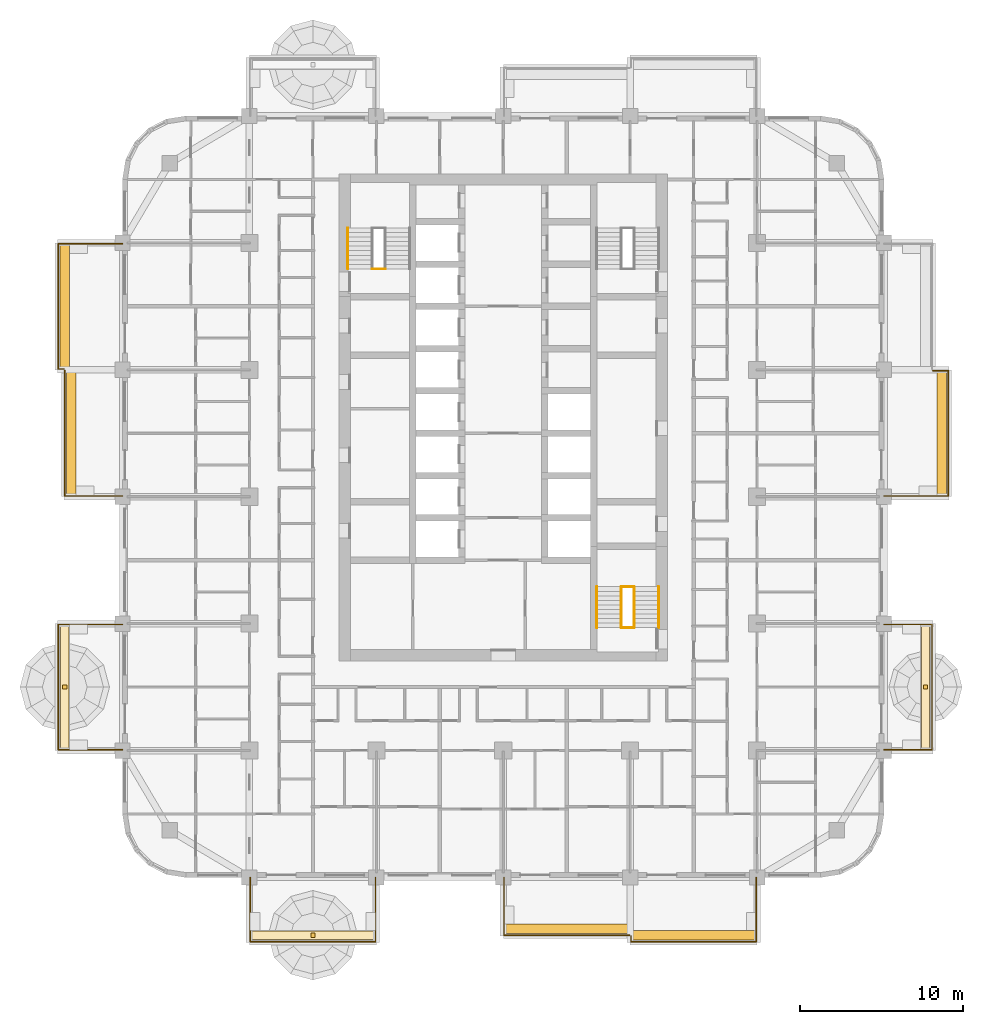
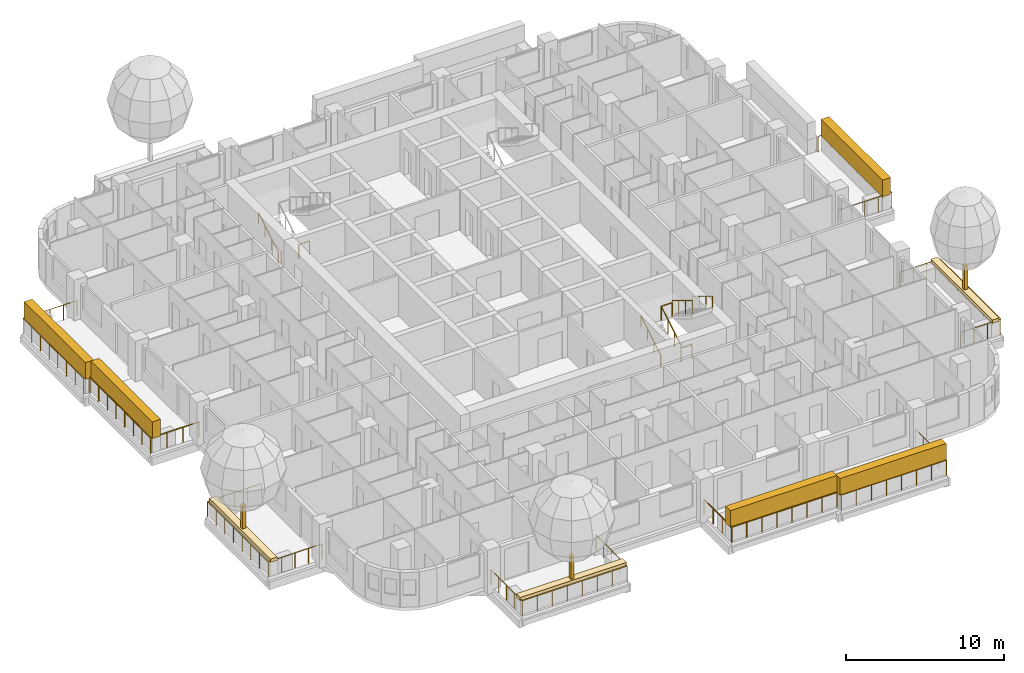
# One storey, part 17 of 19: 16 railings, 11 coverings, 2 elements without a shape of their own.
"""IFC4 building model written with IfcOpenShell, lengths in metres."""

from ifc_helpers import new_model, si_unit, direction, frame, origin, origin_2d, place, context, subcontext, project, spatial, rectangle, circle, extrude, material, layer, layer_set, type_object, element, aggregate, save


model = new_model("IFC4")

# Units and contexts
model_context = context("Model", 3, precision=1e-05, world=origin(), true_north=direction((0.0, 1.0)))
body_context = subcontext(model_context, "Body", "Model", "MODEL_VIEW")
ifc_project = project(units=[si_unit("LENGTHUNIT", "METRE"), si_unit("AREAUNIT", "SQUARE_METRE"), si_unit("VOLUMEUNIT", "CUBIC_METRE"), si_unit("PLANEANGLEUNIT", "RADIAN"), si_unit("MASSUNIT", "GRAM", prefix="KILO")], contexts=[model_context])

# Site, building, storey
site_placement = place(None, origin())
site = spatial("IfcSite", under=ifc_project, at=site_placement, CompositionType="ELEMENT")
building_placement = place(site_placement, origin())
building = spatial("IfcBuilding", under=site, at=building_placement, Name="Ludao Terraces", CompositionType="ELEMENT")
storey_placement = place(building_placement, frame((0.0, 0.0, 81.800048828125)))
storey = spatial("IfcBuildingStorey", under=building, at=storey_placement, Name="L22", CompositionType="ELEMENT", Elevation=81.800048828125)

# Railings
ifc_material_1 = material(Name="Stainless steel 304", Category="steel")
railing_type_1 = type_object("IfcRailingType", Name="ENV Balcony glass guard 1200", PredefinedType="GUARDRAIL", material=ifc_material_1)
railing_1_placement = place(storey_placement, frame((69.449951171875, 41.60009765625, 0.0)))
element("IfcRailing", 1, at=railing_1_placement, inside=storey, type_object=railing_type_1, Name="Balcony guard L22 S1", PredefinedType="GUARDRAIL", context=body_context, shape_type="SweptSolid", body=[
    extrude(circle(Radius=0.02392578125, at=origin_2d()), frame((0.0, 0.0, 1.17578125), z_axis=(0.0, -1.0, 0.0), x_axis=(1.0, 0.0, 0.0)), (0.0, 0.0, 1.0), 3.9501953125),
    extrude(circle(Radius=0.02392578125, at=origin_2d()), frame((0.0, -3.9501953125, 1.17578125), z_axis=(1.0, 0.0, 0.0), x_axis=(0.0, 1.0, 0.0)), (0.0, 0.0, 1.0), 7.699951171875),
    extrude(circle(Radius=0.02392578125, at=origin_2d()), frame((7.699951171875, -3.9501953125, 1.17578125), z_axis=(0.0, 1.0, 0.0), x_axis=(-1.0, 0.0, 0.0)), (0.0, 0.0, 1.0), 3.9501953125),
    extrude(circle(Radius=0.02099609375, at=origin_2d()), origin(), (0.0, 0.0, 1.0), 1.15185546875),
    extrude(circle(Radius=0.02099609375, at=origin_2d()), frame((0.0, -0.987548828125, 0.0)), (0.0, 0.0, 1.0), 1.15185546875),
    extrude(circle(Radius=0.02099609375, at=origin_2d()), frame((0.0, -1.97509765625, 0.0)), (0.0, 0.0, 1.0), 1.15185546875),
    extrude(circle(Radius=0.02099609375, at=origin_2d()), frame((0.0, -2.962646484375, 0.0)), (0.0, 0.0, 1.0), 1.15185546875),
    extrude(circle(Radius=0.02099609375, at=origin_2d()), frame((0.0, -3.9501953125, 0.0)), (0.0, 0.0, 1.0), 1.15185546875),
    extrude(circle(Radius=0.02099609375, at=origin_2d()), frame((1.10009765625, -3.9501953125, 0.0)), (0.0, 0.0, 1.0), 1.15185546875),
    extrude(circle(Radius=0.02099609375, at=origin_2d()), frame((2.199951171875, -3.9501953125, 0.0)), (0.0, 0.0, 1.0), 1.15185546875),
    extrude(circle(Radius=0.02099609375, at=origin_2d()), frame((3.300048828125, -3.9501953125, 0.0)), (0.0, 0.0, 1.0), 1.15185546875),
    extrude(circle(Radius=0.02099609375, at=origin_2d()), frame((4.39990234375, -3.9501953125, 0.0)), (0.0, 0.0, 1.0), 1.15185546875),
    extrude(circle(Radius=0.02099609375, at=origin_2d()), frame((5.5, -3.9501953125, 0.0)), (0.0, 0.0, 1.0), 1.15185546875),
    extrude(circle(Radius=0.02099609375, at=origin_2d()), frame((6.599853515625, -3.9501953125, 0.0)), (0.0, 0.0, 1.0), 1.15185546875),
    extrude(circle(Radius=0.02099609375, at=origin_2d()), frame((7.699951171875, -3.9501953125, 0.0)), (0.0, 0.0, 1.0), 1.15185546875),
    extrude(circle(Radius=0.02099609375, at=origin_2d()), frame((7.699951171875, -2.962646484375, 0.0)), (0.0, 0.0, 1.0), 1.15185546875),
    extrude(circle(Radius=0.02099609375, at=origin_2d()), frame((7.699951171875, -1.97509765625, 0.0)), (0.0, 0.0, 1.0), 1.15185546875),
    extrude(circle(Radius=0.02099609375, at=origin_2d()), frame((7.699951171875, -0.987548828125, 0.0)), (0.0, 0.0, 1.0), 1.15185546875),
    extrude(circle(Radius=0.02099609375, at=origin_2d()), frame((7.699951171875, 0.0, 0.0)), (0.0, 0.0, 1.0), 1.15185546875),
])
railing_2_placement = place(storey_placement, frame((85.050048828125, 41.60009765625, 0.0)))
element("IfcRailing", 2, at=railing_2_placement, inside=storey, type_object=railing_type_1, Name="Balcony guard L22 S3", PredefinedType="GUARDRAIL", context=body_context, shape_type="SweptSolid", body=[
    extrude(circle(Radius=0.02392578125, at=origin_2d()), frame((0.0, 0.0, 1.17578125), z_axis=(0.0, -1.0, 0.0), x_axis=(1.0, 0.0, 0.0)), (0.0, 0.0, 1.0), 3.550048828125),
    extrude(circle(Radius=0.02392578125, at=origin_2d()), frame((0.0, -3.550048828125, 1.17578125), z_axis=(1.0, 0.0, 0.0), x_axis=(0.0, 1.0, 0.0)), (0.0, 0.0, 1.0), 7.699951171875),
    extrude(circle(Radius=0.02099609375, at=origin_2d()), origin(), (0.0, 0.0, 1.0), 1.15185546875),
    extrude(circle(Radius=0.02099609375, at=origin_2d()), frame((0.0, -1.183349609375, 0.0)), (0.0, 0.0, 1.0), 1.15185546875),
    extrude(circle(Radius=0.02099609375, at=origin_2d()), frame((0.0, -2.36669921875, 0.0)), (0.0, 0.0, 1.0), 1.15185546875),
    extrude(circle(Radius=0.02099609375, at=origin_2d()), frame((0.0, -3.550048828125, 0.0)), (0.0, 0.0, 1.0), 1.15185546875),
    extrude(circle(Radius=0.02099609375, at=origin_2d()), frame((1.10009765625, -3.550048828125, 0.0)), (0.0, 0.0, 1.0), 1.15185546875),
    extrude(circle(Radius=0.02099609375, at=origin_2d()), frame((2.199951171875, -3.550048828125, 0.0)), (0.0, 0.0, 1.0), 1.15185546875),
    extrude(circle(Radius=0.02099609375, at=origin_2d()), frame((3.300048828125, -3.550048828125, 0.0)), (0.0, 0.0, 1.0), 1.15185546875),
    extrude(circle(Radius=0.02099609375, at=origin_2d()), frame((4.39990234375, -3.550048828125, 0.0)), (0.0, 0.0, 1.0), 1.15185546875),
    extrude(circle(Radius=0.02099609375, at=origin_2d()), frame((5.5, -3.550048828125, 0.0)), (0.0, 0.0, 1.0), 1.15185546875),
    extrude(circle(Radius=0.02099609375, at=origin_2d()), frame((6.599853515625, -3.550048828125, 0.0)), (0.0, 0.0, 1.0), 1.15185546875),
    extrude(circle(Radius=0.02099609375, at=origin_2d()), frame((7.699951171875, -3.550048828125, 0.0)), (0.0, 0.0, 1.0), 1.15185546875),
])
railing_3_placement = place(storey_placement, frame((92.85009765625, 38.0, 0.0)))
element("IfcRailing", 3, at=railing_3_placement, inside=storey, type_object=railing_type_1, Name="Balcony guard L22 S4", PredefinedType="GUARDRAIL", context=body_context, shape_type="SweptSolid", body=[
    extrude(circle(Radius=0.02392578125, at=origin_2d()), frame((0.0, 0.0, 1.17578125), z_axis=(0.0, -1.0, 0.0), x_axis=(1.0, 0.0, 0.0)), (0.0, 0.0, 1.0), 0.35009765625),
    extrude(circle(Radius=0.02392578125, at=origin_2d()), frame((0.0, -0.35009765625, 1.17578125), z_axis=(1.0, 0.0, 0.0), x_axis=(0.0, 1.0, 0.0)), (0.0, 0.0, 1.0), 7.699951171875),
    extrude(circle(Radius=0.02392578125, at=origin_2d()), frame((7.699951171875, -0.35009765625, 1.17578125), z_axis=(0.0, 1.0, 0.0), x_axis=(-1.0, 0.0, 0.0)), (0.0, 0.0, 1.0), 3.9501953125),
    extrude(circle(Radius=0.02099609375, at=origin_2d()), origin(), (0.0, 0.0, 1.0), 1.15185546875),
    extrude(circle(Radius=0.02099609375, at=origin_2d()), frame((0.0, -0.35009765625, 0.0)), (0.0, 0.0, 1.0), 1.15185546875),
    extrude(circle(Radius=0.02099609375, at=origin_2d()), frame((1.10009765625, -0.35009765625, 0.0)), (0.0, 0.0, 1.0), 1.15185546875),
    extrude(circle(Radius=0.02099609375, at=origin_2d()), frame((2.199951171875, -0.35009765625, 0.0)), (0.0, 0.0, 1.0), 1.15185546875),
    extrude(circle(Radius=0.02099609375, at=origin_2d()), frame((3.300048828125, -0.35009765625, 0.0)), (0.0, 0.0, 1.0), 1.15185546875),
    extrude(circle(Radius=0.02099609375, at=origin_2d()), frame((4.39990234375, -0.35009765625, 0.0)), (0.0, 0.0, 1.0), 1.15185546875),
    extrude(circle(Radius=0.02099609375, at=origin_2d()), frame((5.5, -0.35009765625, 0.0)), (0.0, 0.0, 1.0), 1.15185546875),
    extrude(circle(Radius=0.02099609375, at=origin_2d()), frame((6.599853515625, -0.35009765625, 0.0)), (0.0, 0.0, 1.0), 1.15185546875),
    extrude(circle(Radius=0.02099609375, at=origin_2d()), frame((7.699951171875, -0.35009765625, 0.0)), (0.0, 0.0, 1.0), 1.15185546875),
    extrude(circle(Radius=0.02099609375, at=origin_2d()), frame((7.699951171875, 0.637451171875, 0.0)), (0.0, 0.0, 1.0), 1.15185546875),
    extrude(circle(Radius=0.02099609375, at=origin_2d()), frame((7.699951171875, 1.625, 0.0)), (0.0, 0.0, 1.0), 1.15185546875),
    extrude(circle(Radius=0.02099609375, at=origin_2d()), frame((7.699951171875, 2.612548828125, 0.0)), (0.0, 0.0, 1.0), 1.15185546875),
    extrude(circle(Radius=0.02099609375, at=origin_2d()), frame((7.699951171875, 3.60009765625, 0.0)), (0.0, 0.0, 1.0), 1.15185546875),
])
railing_4_placement = place(storey_placement, frame((108.39990234375, 49.449951171875, 0.0)))
element("IfcRailing", 4, at=railing_4_placement, inside=storey, type_object=railing_type_1, Name="Balcony guard L22 E1", PredefinedType="GUARDRAIL", context=body_context, shape_type="SweptSolid", body=[
    extrude(circle(Radius=0.02392578125, at=origin_2d()), frame((0.0, 0.0, 1.17578125), z_axis=(1.0, 0.0, 0.0), x_axis=(0.0, 1.0, 0.0)), (0.0, 0.0, 1.0), 2.9501953125),
    extrude(circle(Radius=0.02392578125, at=origin_2d()), frame((2.9501953125, 0.0, 1.17578125), z_axis=(0.0, 1.0, 0.0), x_axis=(-1.0, 0.0, 0.0)), (0.0, 0.0, 1.0), 7.699951171875),
    extrude(circle(Radius=0.02392578125, at=origin_2d()), frame((2.9501953125, 7.699951171875, 1.17578125), z_axis=(-1.0, 0.0, 0.0), x_axis=(0.0, -1.0, 0.0)), (0.0, 0.0, 1.0), 2.9501953125),
    extrude(circle(Radius=0.02099609375, at=origin_2d()), origin(), (0.0, 0.0, 1.0), 1.15185546875),
    extrude(circle(Radius=0.02099609375, at=origin_2d()), frame((0.9833984375, 0.0, 0.0)), (0.0, 0.0, 1.0), 1.15185546875),
    extrude(circle(Radius=0.02099609375, at=origin_2d()), frame((1.966796875, 0.0, 0.0)), (0.0, 0.0, 1.0), 1.15185546875),
    extrude(circle(Radius=0.02099609375, at=origin_2d()), frame((2.9501953125, 0.0, 0.0)), (0.0, 0.0, 1.0), 1.15185546875),
    extrude(circle(Radius=0.02099609375, at=origin_2d()), frame((2.9501953125, 1.10009765625, 0.0)), (0.0, 0.0, 1.0), 1.15185546875),
    extrude(circle(Radius=0.02099609375, at=origin_2d()), frame((2.9501953125, 2.199951171875, 0.0)), (0.0, 0.0, 1.0), 1.15185546875),
    extrude(circle(Radius=0.02099609375, at=origin_2d()), frame((2.9501953125, 3.300048828125, 0.0)), (0.0, 0.0, 1.0), 1.15185546875),
    extrude(circle(Radius=0.02099609375, at=origin_2d()), frame((2.9501953125, 4.39990234375, 0.0)), (0.0, 0.0, 1.0), 1.15185546875),
    extrude(circle(Radius=0.02099609375, at=origin_2d()), frame((2.9501953125, 5.5, 0.0)), (0.0, 0.0, 1.0), 1.15185546875),
    extrude(circle(Radius=0.02099609375, at=origin_2d()), frame((2.9501953125, 6.599853515625, 0.0)), (0.0, 0.0, 1.0), 1.15185546875),
    extrude(circle(Radius=0.02099609375, at=origin_2d()), frame((2.9501953125, 7.699951171875, 0.0)), (0.0, 0.0, 1.0), 1.15185546875),
    extrude(circle(Radius=0.02099609375, at=origin_2d()), frame((1.966796875, 7.699951171875, 0.0)), (0.0, 0.0, 1.0), 1.15185546875),
    extrude(circle(Radius=0.02099609375, at=origin_2d()), frame((0.9833984375, 7.699951171875, 0.0)), (0.0, 0.0, 1.0), 1.15185546875),
    extrude(circle(Radius=0.02099609375, at=origin_2d()), frame((0.0, 7.699951171875, 0.0)), (0.0, 0.0, 1.0), 1.15185546875),
])
railing_5_placement = place(storey_placement, frame((108.39990234375, 65.050048828125, 0.0)))
element("IfcRailing", 5, at=railing_5_placement, inside=storey, type_object=railing_type_1, Name="Balcony guard L22 E3", PredefinedType="GUARDRAIL", context=body_context, shape_type="SweptSolid", body=[
    extrude(circle(Radius=0.02392578125, at=origin_2d()), frame((0.0, 0.0, 1.17578125), z_axis=(1.0, 0.0, 0.0), x_axis=(0.0, 1.0, 0.0)), (0.0, 0.0, 1.0), 3.9501953125),
    extrude(circle(Radius=0.02392578125, at=origin_2d()), frame((3.9501953125, 0.0, 1.17578125), z_axis=(0.0, 1.0, 0.0), x_axis=(-1.0, 0.0, 0.0)), (0.0, 0.0, 1.0), 7.699951171875),
    extrude(circle(Radius=0.02392578125, at=origin_2d()), frame((3.9501953125, 7.699951171875, 1.17578125), z_axis=(-1.0, 0.0, 0.0), x_axis=(0.0, -1.0, 0.0)), (0.0, 0.0, 1.0), 0.9501953125),
    extrude(circle(Radius=0.02099609375, at=origin_2d()), origin(), (0.0, 0.0, 1.0), 1.15185546875),
    extrude(circle(Radius=0.02099609375, at=origin_2d()), frame((0.987548828125, 0.0, 0.0)), (0.0, 0.0, 1.0), 1.15185546875),
    extrude(circle(Radius=0.02099609375, at=origin_2d()), frame((1.97509765625, 0.0, 0.0)), (0.0, 0.0, 1.0), 1.15185546875),
    extrude(circle(Radius=0.02099609375, at=origin_2d()), frame((2.962646484375, 0.0, 0.0)), (0.0, 0.0, 1.0), 1.15185546875),
    extrude(circle(Radius=0.02099609375, at=origin_2d()), frame((3.9501953125, 0.0, 0.0)), (0.0, 0.0, 1.0), 1.15185546875),
    extrude(circle(Radius=0.02099609375, at=origin_2d()), frame((3.9501953125, 1.10009765625, 0.0)), (0.0, 0.0, 1.0), 1.15185546875),
    extrude(circle(Radius=0.02099609375, at=origin_2d()), frame((3.9501953125, 2.199951171875, 0.0)), (0.0, 0.0, 1.0), 1.15185546875),
    extrude(circle(Radius=0.02099609375, at=origin_2d()), frame((3.9501953125, 3.300048828125, 0.0)), (0.0, 0.0, 1.0), 1.15185546875),
    extrude(circle(Radius=0.02099609375, at=origin_2d()), frame((3.9501953125, 4.39990234375, 0.0)), (0.0, 0.0, 1.0), 1.15185546875),
    extrude(circle(Radius=0.02099609375, at=origin_2d()), frame((3.9501953125, 5.5, 0.0)), (0.0, 0.0, 1.0), 1.15185546875),
    extrude(circle(Radius=0.02099609375, at=origin_2d()), frame((3.9501953125, 6.599853515625, 0.0)), (0.0, 0.0, 1.0), 1.15185546875),
    extrude(circle(Radius=0.02099609375, at=origin_2d()), frame((3.9501953125, 7.699951171875, 0.0)), (0.0, 0.0, 1.0), 1.15185546875),
    extrude(circle(Radius=0.02099609375, at=origin_2d()), frame((3.0, 7.699951171875, 0.0)), (0.0, 0.0, 1.0), 1.15185546875),
])
railing_6_placement = place(storey_placement, frame((61.60009765625, 49.449951171875, 0.0)))
element("IfcRailing", 6, at=railing_6_placement, inside=storey, type_object=railing_type_1, Name="Balcony guard L22 W1", PredefinedType="GUARDRAIL", context=body_context, shape_type="SweptSolid", body=[
    extrude(circle(Radius=0.02392578125, at=origin_2d()), frame((0.0, 0.0, 1.17578125), z_axis=(-1.0, 0.0, 0.0), x_axis=(0.0, -1.0, 0.0)), (0.0, 0.0, 1.0), 3.9501953125),
    extrude(circle(Radius=0.02392578125, at=origin_2d()), frame((-3.9501953125, 0.0, 1.17578125), z_axis=(0.0, 1.0, 0.0), x_axis=(-1.0, 0.0, 0.0)), (0.0, 0.0, 1.0), 7.699951171875),
    extrude(circle(Radius=0.02392578125, at=origin_2d()), frame((-3.9501953125, 7.699951171875, 1.17578125), z_axis=(1.0, 0.0, 0.0), x_axis=(0.0, 1.0, 0.0)), (0.0, 0.0, 1.0), 3.9501953125),
    extrude(circle(Radius=0.02099609375, at=origin_2d()), origin(), (0.0, 0.0, 1.0), 1.15185546875),
    extrude(circle(Radius=0.02099609375, at=origin_2d()), frame((-0.987548828125, 0.0, 0.0)), (0.0, 0.0, 1.0), 1.15185546875),
    extrude(circle(Radius=0.02099609375, at=origin_2d()), frame((-1.97509765625, 0.0, 0.0)), (0.0, 0.0, 1.0), 1.15185546875),
    extrude(circle(Radius=0.02099609375, at=origin_2d()), frame((-2.962646484375, 0.0, 0.0)), (0.0, 0.0, 1.0), 1.15185546875),
    extrude(circle(Radius=0.02099609375, at=origin_2d()), frame((-3.9501953125, 0.0, 0.0)), (0.0, 0.0, 1.0), 1.15185546875),
    extrude(circle(Radius=0.02099609375, at=origin_2d()), frame((-3.9501953125, 1.10009765625, 0.0)), (0.0, 0.0, 1.0), 1.15185546875),
    extrude(circle(Radius=0.02099609375, at=origin_2d()), frame((-3.9501953125, 2.199951171875, 0.0)), (0.0, 0.0, 1.0), 1.15185546875),
    extrude(circle(Radius=0.02099609375, at=origin_2d()), frame((-3.9501953125, 3.300048828125, 0.0)), (0.0, 0.0, 1.0), 1.15185546875),
    extrude(circle(Radius=0.02099609375, at=origin_2d()), frame((-3.9501953125, 4.39990234375, 0.0)), (0.0, 0.0, 1.0), 1.15185546875),
    extrude(circle(Radius=0.02099609375, at=origin_2d()), frame((-3.9501953125, 5.5, 0.0)), (0.0, 0.0, 1.0), 1.15185546875),
    extrude(circle(Radius=0.02099609375, at=origin_2d()), frame((-3.9501953125, 6.599853515625, 0.0)), (0.0, 0.0, 1.0), 1.15185546875),
    extrude(circle(Radius=0.02099609375, at=origin_2d()), frame((-3.9501953125, 7.699951171875, 0.0)), (0.0, 0.0, 1.0), 1.15185546875),
    extrude(circle(Radius=0.02099609375, at=origin_2d()), frame((-2.962646484375, 7.699951171875, 0.0)), (0.0, 0.0, 1.0), 1.15185546875),
    extrude(circle(Radius=0.02099609375, at=origin_2d()), frame((-1.97509765625, 7.699951171875, 0.0)), (0.0, 0.0, 1.0), 1.15185546875),
    extrude(circle(Radius=0.02099609375, at=origin_2d()), frame((-0.987548828125, 7.699951171875, 0.0)), (0.0, 0.0, 1.0), 1.15185546875),
    extrude(circle(Radius=0.02099609375, at=origin_2d()), frame((0.0, 7.699951171875, 0.0)), (0.0, 0.0, 1.0), 1.15185546875),
])
railing_7_placement = place(storey_placement, frame((61.60009765625, 65.050048828125, 0.0)))
element("IfcRailing", 7, at=railing_7_placement, inside=storey, type_object=railing_type_1, Name="Balcony guard L22 W3", PredefinedType="GUARDRAIL", context=body_context, shape_type="SweptSolid", body=[
    extrude(circle(Radius=0.02392578125, at=origin_2d()), frame((0.0, 0.0, 1.17578125), z_axis=(-1.0, 0.0, 0.0), x_axis=(0.0, -1.0, 0.0)), (0.0, 0.0, 1.0), 3.550048828125),
    extrude(circle(Radius=0.02392578125, at=origin_2d()), frame((-3.550048828125, 0.0, 1.17578125), z_axis=(0.0, 1.0, 0.0), x_axis=(-1.0, 0.0, 0.0)), (0.0, 0.0, 1.0), 7.699951171875),
    extrude(circle(Radius=0.02099609375, at=origin_2d()), origin(), (0.0, 0.0, 1.0), 1.15185546875),
    extrude(circle(Radius=0.02099609375, at=origin_2d()), frame((-1.183349609375, 0.0, 0.0)), (0.0, 0.0, 1.0), 1.15185546875),
    extrude(circle(Radius=0.02099609375, at=origin_2d()), frame((-2.36669921875, 0.0, 0.0)), (0.0, 0.0, 1.0), 1.15185546875),
    extrude(circle(Radius=0.02099609375, at=origin_2d()), frame((-3.550048828125, 0.0, 0.0)), (0.0, 0.0, 1.0), 1.15185546875),
    extrude(circle(Radius=0.02099609375, at=origin_2d()), frame((-3.550048828125, 1.10009765625, 0.0)), (0.0, 0.0, 1.0), 1.15185546875),
    extrude(circle(Radius=0.02099609375, at=origin_2d()), frame((-3.550048828125, 2.199951171875, 0.0)), (0.0, 0.0, 1.0), 1.15185546875),
    extrude(circle(Radius=0.02099609375, at=origin_2d()), frame((-3.550048828125, 3.300048828125, 0.0)), (0.0, 0.0, 1.0), 1.15185546875),
    extrude(circle(Radius=0.02099609375, at=origin_2d()), frame((-3.550048828125, 4.39990234375, 0.0)), (0.0, 0.0, 1.0), 1.15185546875),
    extrude(circle(Radius=0.02099609375, at=origin_2d()), frame((-3.550048828125, 5.5, 0.0)), (0.0, 0.0, 1.0), 1.15185546875),
    extrude(circle(Radius=0.02099609375, at=origin_2d()), frame((-3.550048828125, 6.599853515625, 0.0)), (0.0, 0.0, 1.0), 1.15185546875),
    extrude(circle(Radius=0.02099609375, at=origin_2d()), frame((-3.550048828125, 7.699951171875, 0.0)), (0.0, 0.0, 1.0), 1.15185546875),
])
railing_8_placement = place(storey_placement, frame((58.0, 72.85009765625, 0.0)))
element("IfcRailing", 8, at=railing_8_placement, inside=storey, type_object=railing_type_1, Name="Balcony guard L22 W4", PredefinedType="GUARDRAIL", context=body_context, shape_type="SweptSolid", body=[
    extrude(circle(Radius=0.02392578125, at=origin_2d()), frame((0.0, 0.0, 1.17578125), z_axis=(-1.0, 0.0, 0.0), x_axis=(0.0, -1.0, 0.0)), (0.0, 0.0, 1.0), 0.35009765625),
    extrude(circle(Radius=0.02392578125, at=origin_2d()), frame((-0.35009765625, 0.0, 1.17578125), z_axis=(0.0, 1.0, 0.0), x_axis=(-1.0, 0.0, 0.0)), (0.0, 0.0, 1.0), 7.699951171875),
    extrude(circle(Radius=0.02392578125, at=origin_2d()), frame((-0.35009765625, 7.699951171875, 1.17578125), z_axis=(1.0, 0.0, 0.0), x_axis=(0.0, 1.0, 0.0)), (0.0, 0.0, 1.0), 3.9501953125),
    extrude(circle(Radius=0.02099609375, at=origin_2d()), origin(), (0.0, 0.0, 1.0), 1.15185546875),
    extrude(circle(Radius=0.02099609375, at=origin_2d()), frame((-0.35009765625, 0.0, 0.0)), (0.0, 0.0, 1.0), 1.15185546875),
    extrude(circle(Radius=0.02099609375, at=origin_2d()), frame((-0.35009765625, 1.10009765625, 0.0)), (0.0, 0.0, 1.0), 1.15185546875),
    extrude(circle(Radius=0.02099609375, at=origin_2d()), frame((-0.35009765625, 2.199951171875, 0.0)), (0.0, 0.0, 1.0), 1.15185546875),
    extrude(circle(Radius=0.02099609375, at=origin_2d()), frame((-0.35009765625, 3.300048828125, 0.0)), (0.0, 0.0, 1.0), 1.15185546875),
    extrude(circle(Radius=0.02099609375, at=origin_2d()), frame((-0.35009765625, 4.39990234375, 0.0)), (0.0, 0.0, 1.0), 1.15185546875),
    extrude(circle(Radius=0.02099609375, at=origin_2d()), frame((-0.35009765625, 5.5, 0.0)), (0.0, 0.0, 1.0), 1.15185546875),
    extrude(circle(Radius=0.02099609375, at=origin_2d()), frame((-0.35009765625, 6.599853515625, 0.0)), (0.0, 0.0, 1.0), 1.15185546875),
    extrude(circle(Radius=0.02099609375, at=origin_2d()), frame((-0.35009765625, 7.699951171875, 0.0)), (0.0, 0.0, 1.0), 1.15185546875),
    extrude(circle(Radius=0.02099609375, at=origin_2d()), frame((0.637451171875, 7.699951171875, 0.0)), (0.0, 0.0, 1.0), 1.15185546875),
    extrude(circle(Radius=0.02099609375, at=origin_2d()), frame((1.625, 7.699951171875, 0.0)), (0.0, 0.0, 1.0), 1.15185546875),
    extrude(circle(Radius=0.02099609375, at=origin_2d()), frame((2.612548828125, 7.699951171875, 0.0)), (0.0, 0.0, 1.0), 1.15185546875),
    extrude(circle(Radius=0.02099609375, at=origin_2d()), frame((3.60009765625, 7.699951171875, 0.0)), (0.0, 0.0, 1.0), 1.15185546875),
])

# Coverings
ifc_material_2 = material(Name="Planting")
ifc_layer_1 = layer(ifc_material_2, 0.5)
ifc_layer_set_1 = layer_set([ifc_layer_1], Name="ENV Planting bed 250")
covering_type_1 = type_object("IfcCoveringType", Name="ENV Planting bed 250", PredefinedType="USERDEFINED", material=ifc_layer_set_1)
covering_placement = place(storey_placement, frame((73.300048828125, 38.050048828125, 1.099853515625), z_axis=(0.0, 0.0, 1.0), x_axis=(1.0, 0.0, 0.0)))
element("IfcCovering", 9, at=covering_placement, inside=storey, type_object=covering_type_1, Name="Planting bed L22-S1", ObjectType="PLANTING", PredefinedType="USERDEFINED", context=body_context, shape_type="SweptSolid", body=[
    extrude(rectangle(XDim=7.800048828125, YDim=0.5, at=origin_2d()), origin(), (0.0, 0.0, 1.0), 0.25),
])
for number, where, z_axis, x_axis, name in (
    (10, (110.949951171875, 53.300048828125, 1.099853515625), (0.0, 0.0, 1.0), (1.0, 0.0, 0.0), "Planting bed L22-E1"),
    (11, (58.050048828125, 53.300048828125, 1.099853515625), (0.0, 0.0, 1.0), (1.0, 0.0, 0.0), "Planting bed L22-W1"),
):
    element("IfcCovering", number, at=place(storey_placement, frame(where, z_axis=z_axis, x_axis=x_axis)), inside=storey, type_object=covering_type_1, Name=name, ObjectType="PLANTING", PredefinedType="USERDEFINED", context=body_context, shape_type="SweptSolid", body=[
        extrude(rectangle(XDim=0.5, YDim=7.800048828125, at=origin_2d()), origin(), (0.0, 0.0, 1.0), 0.25),
    ])
ifc_layer_2 = layer(ifc_material_2, 0.60009765625)
ifc_layer_set_2 = layer_set([ifc_layer_2], Name="ENV Planting hedge 600x1300")
covering_type_2 = type_object("IfcCoveringType", Name="ENV Planting hedge 600x1300", PredefinedType="USERDEFINED", material=ifc_layer_set_2)
for number, where, z_axis, x_axis, name in (
    (12, (88.89990234375, 38.449951171875, 1.10009765625), (0.0, 0.0, 1.0), (1.0, 0.0, 0.0), "Planting hedge L22-S3"),
    (13, (96.699951171875, 38.050048828125, 1.10009765625), (0.0, 0.0, 1.0), (1.0, 0.0, 0.0), "Planting hedge L22-S4"),
):
    element("IfcCovering", number, at=place(storey_placement, frame(where, z_axis=z_axis, x_axis=x_axis)), inside=storey, type_object=covering_type_2, Name=name, ObjectType="PLANTING", PredefinedType="USERDEFINED", context=body_context, shape_type="SweptSolid", body=[
        extrude(rectangle(XDim=7.800048828125, YDim=0.60009765625, at=origin_2d()), origin(), (0.0, 0.0, 1.0), 1.300048828125),
    ])
for number, where, z_axis, x_axis, name in (
    (14, (111.949951171875, 68.89990234375, 1.10009765625), (0.0, 0.0, 1.0), (1.0, 0.0, 0.0), "Planting hedge L22-E3"),
    (15, (58.449951171875, 68.89990234375, 1.10009765625), (0.0, 0.0, 1.0), (1.0, 0.0, 0.0), "Planting hedge L22-W3"),
    (16, (58.050048828125, 76.699951171875, 1.10009765625), (0.0, 0.0, 1.0), (1.0, 0.0, 0.0), "Planting hedge L22-W4"),
):
    element("IfcCovering", number, at=place(storey_placement, frame(where, z_axis=z_axis, x_axis=x_axis)), inside=storey, type_object=covering_type_2, Name=name, ObjectType="PLANTING", PredefinedType="USERDEFINED", context=body_context, shape_type="SweptSolid", body=[
        extrude(rectangle(XDim=0.60009765625, YDim=7.800048828125, at=origin_2d()), origin(), (0.0, 0.0, 1.0), 1.300048828125),
    ])
ifc_material_3 = material(Name="Timber tree trunk", Category="wood")
ifc_layer_3 = layer(ifc_material_3, 0.25)
ifc_layer_set_3 = layer_set([ifc_layer_3], Name="ENV Tree trunk 250x1800")
covering_type_3 = type_object("IfcCoveringType", Name="ENV Tree trunk 250x1800", PredefinedType="USERDEFINED", material=ifc_layer_set_3)
for number, where, z_axis, x_axis, name in (
    (17, (73.300048828125, 38.050048828125, 1.35009765625), (0.0, 0.0, 1.0), (1.0, 0.0, 0.0), "Tree trunk L22 S1"),
    (18, (110.949951171875, 53.300048828125, 1.35009765625), (0.0, 0.0, 1.0), (1.0, 0.0, 0.0), "Tree trunk L22 E1"),
    (19, (58.050048828125, 53.300048828125, 1.35009765625), (0.0, 0.0, 1.0), (1.0, 0.0, 0.0), "Tree trunk L22 W1"),
):
    element("IfcCovering", number, at=place(storey_placement, frame(where, z_axis=z_axis, x_axis=x_axis)), inside=storey, type_object=covering_type_3, Name=name, ObjectType="PLANTING", PredefinedType="USERDEFINED", context=body_context, shape_type="SweptSolid", body=[
        extrude(rectangle(XDim=0.25, YDim=0.25, at=origin_2d()), origin(), (0.0, 0.0, 1.0), 1.800048828125),
    ])

# Stair, railing
ifc_material_4 = material(Name="Concrete C40", Category="concrete")
stair_type = type_object("IfcStairType", Name="INT Stair", PredefinedType="HALF_TURN_STAIR", material=ifc_material_4)
stair_1_placement = place(storey_placement, origin())
stair_1 = element("IfcStair", 20, at=stair_1_placement, inside=storey, type_object=stair_type, Name="EXIT STAIR 1", PredefinedType="HALF_TURN_STAIR")
railing_type_2 = type_object("IfcRailingType", Name="INT Stair guard 1100", PredefinedType="GUARDRAIL", material=ifc_material_1)
railing_9_placement = place(storey_placement, frame((76.949951171875, 79.0, 0.0)))
railing_9 = element("IfcRailing", 21, at=railing_9_placement, type_object=railing_type_2, Name="ST-L22-S1-E2G", PredefinedType="GUARDRAIL", context=body_context, shape_type="SweptSolid", body=[
    extrude(circle(Radius=0.02392578125, at=origin_2d()), frame((0.0, 0.0, 1.076171875), z_axis=(1.0, 0.0, 0.0), x_axis=(0.0, 1.0, 0.0)), (0.0, 0.0, 1.0), 0.800048828125),
    extrude(circle(Radius=0.02099609375, at=origin_2d()), origin(), (0.0, 0.0, 1.0), 1.052001953125),
    extrude(circle(Radius=0.02099609375, at=origin_2d()), frame((0.800048828125, 0.0, 0.0)), (0.0, 0.0, 1.0), 1.052001953125),
])

# Stair, railings
stair_2_placement = place(storey_placement, origin())
stair_2 = element("IfcStair", 22, at=stair_2_placement, inside=storey, type_object=stair_type, Name="EXIT STAIR 3", PredefinedType="HALF_TURN_STAIR")
railing_10_placement = place(storey_placement, frame((92.25, 56.949951171875, 0.169921875)))
railing_10 = element("IfcRailing", 23, at=railing_10_placement, type_object=railing_type_2, Name="ST-L22-S3-R1G", PredefinedType="GUARDRAIL", context=body_context, shape_type="SweptSolid", body=[
    extrude(circle(Radius=0.02392578125, at=origin_2d()), frame((0.0, 0.0, 1.076171875), z_axis=(0.0, 0.85478489116, 0.518982456201), x_axis=(-1.0, 0.0, 0.0)), (0.0, 0.0, 1.0), 2.9482421875),
    extrude(circle(Radius=0.02099609375, at=origin_2d()), origin(), (0.0, 0.0, 1.0), 1.052001953125),
    extrude(circle(Radius=0.02099609375, at=origin_2d()), frame((0.0, 0.840087890625, 0.510009765625)), (0.0, 0.0, 1.0), 1.052001953125),
    extrude(circle(Radius=0.02099609375, at=origin_2d()), frame((0.0, 1.679931640625, 1.02001953125)), (0.0, 0.0, 1.0), 1.052001953125),
    extrude(circle(Radius=0.02099609375, at=origin_2d()), frame((0.0, 2.52001953125, 1.530029296875)), (0.0, 0.0, 1.0), 1.052001953125),
])
railing_11_placement = place(storey_placement, frame((93.050048828125, 59.469970703125, 1.869873046875)))
railing_11 = element("IfcRailing", 24, at=railing_11_placement, type_object=railing_type_2, Name="ST-L22-S3-R2G", PredefinedType="GUARDRAIL", context=body_context, shape_type="SweptSolid", body=[
    extrude(circle(Radius=0.02392578125, at=origin_2d()), frame((0.0, 0.0, 1.076171875), z_axis=(0.0, -0.85478489116, 0.518982456201), x_axis=(1.0, 0.0, 0.0)), (0.0, 0.0, 1.0), 2.9482421875),
    extrude(circle(Radius=0.02099609375, at=origin_2d()), origin(), (0.0, 0.0, 1.0), 1.052001953125),
    extrude(circle(Radius=0.02099609375, at=origin_2d()), frame((0.0, -0.840087890625, 0.510009765625)), (0.0, 0.0, 1.0), 1.052001953125),
    extrude(circle(Radius=0.02099609375, at=origin_2d()), frame((0.0, -1.679931640625, 1.02001953125)), (0.0, 0.0, 1.0), 1.052001953125),
    extrude(circle(Radius=0.02099609375, at=origin_2d()), frame((0.0, -2.52001953125, 1.530029296875)), (0.0, 0.0, 1.0), 1.052001953125),
])
railing_12_placement = place(storey_placement, frame((92.25, 59.469970703125, 1.699951171875)))
railing_12 = element("IfcRailing", 25, at=railing_12_placement, type_object=railing_type_2, Name="ST-L22-S3-E1G", PredefinedType="GUARDRAIL", context=body_context, shape_type="SweptSolid", body=[
    extrude(circle(Radius=0.02392578125, at=origin_2d()), frame((0.0, 0.0, 1.076171875), z_axis=(1.0, 0.0, 0.0), x_axis=(0.0, 1.0, 0.0)), (0.0, 0.0, 1.0), 0.800048828125),
    extrude(circle(Radius=0.02099609375, at=origin_2d()), origin(), (0.0, 0.0, 1.0), 1.052001953125),
    extrude(circle(Radius=0.02099609375, at=origin_2d()), frame((0.800048828125, 0.0, 0.0)), (0.0, 0.0, 1.0), 1.052001953125),
])
railing_13_placement = place(storey_placement, frame((92.25, 56.949951171875, 0.0)))
railing_13 = element("IfcRailing", 26, at=railing_13_placement, type_object=railing_type_2, Name="ST-L22-S3-E2G", PredefinedType="GUARDRAIL", context=body_context, shape_type="SweptSolid", body=[
    extrude(circle(Radius=0.02392578125, at=origin_2d()), frame((0.0, 0.0, 1.076171875), z_axis=(1.0, 0.0, 0.0), x_axis=(0.0, 1.0, 0.0)), (0.0, 0.0, 1.0), 0.800048828125),
    extrude(circle(Radius=0.02099609375, at=origin_2d()), origin(), (0.0, 0.0, 1.0), 1.052001953125),
    extrude(circle(Radius=0.02099609375, at=origin_2d()), frame((0.800048828125, 0.0, 0.0)), (0.0, 0.0, 1.0), 1.052001953125),
])

# Railing
railing_type_3 = type_object("IfcRailingType", Name="INT Stair handrail 900", PredefinedType="HANDRAIL", material=ifc_material_1)
railing_14_placement = place(storey_placement, frame((75.449951171875, 79.0, 0.169921875)))
railing_14 = element("IfcRailing", 27, at=railing_14_placement, type_object=railing_type_3, Name="ST-L22-S1-R1H", PredefinedType="HANDRAIL", context=body_context, shape_type="SweptSolid", body=[
    extrude(circle(Radius=0.02392578125, at=origin_2d()), frame((0.0, 0.0, 0.8759765625), z_axis=(0.0, 0.85478489116, 0.518982456201), x_axis=(-1.0, 0.0, 0.0)), (0.0, 0.0, 1.0), 2.9482421875),
    extrude(circle(Radius=0.02099609375, at=origin_2d()), origin(), (0.0, 0.0, 1.0), 0.851806640625),
    extrude(circle(Radius=0.02099609375, at=origin_2d()), frame((0.0, 0.840087890625, 0.510009765625)), (0.0, 0.0, 1.0), 0.851806640625),
    extrude(circle(Radius=0.02099609375, at=origin_2d()), frame((0.0, 1.679931640625, 1.02001953125)), (0.0, 0.0, 1.0), 0.851806640625),
    extrude(circle(Radius=0.02099609375, at=origin_2d()), frame((0.0, 2.52001953125, 1.530029296875)), (0.0, 0.0, 1.0), 0.851806640625),
])

aggregate(stair_1, [railing_14, railing_9])

railing_15_placement = place(storey_placement, frame((90.75, 56.949951171875, 0.169921875)))
railing_15 = element("IfcRailing", 28, at=railing_15_placement, type_object=railing_type_3, Name="ST-L22-S3-R1H", PredefinedType="HANDRAIL", context=body_context, shape_type="SweptSolid", body=[
    extrude(circle(Radius=0.02392578125, at=origin_2d()), frame((0.0, 0.0, 0.8759765625), z_axis=(0.0, 0.85478489116, 0.518982456201), x_axis=(-1.0, 0.0, 0.0)), (0.0, 0.0, 1.0), 2.9482421875),
    extrude(circle(Radius=0.02099609375, at=origin_2d()), origin(), (0.0, 0.0, 1.0), 0.851806640625),
    extrude(circle(Radius=0.02099609375, at=origin_2d()), frame((0.0, 0.840087890625, 0.510009765625)), (0.0, 0.0, 1.0), 0.851806640625),
    extrude(circle(Radius=0.02099609375, at=origin_2d()), frame((0.0, 1.679931640625, 1.02001953125)), (0.0, 0.0, 1.0), 0.851806640625),
    extrude(circle(Radius=0.02099609375, at=origin_2d()), frame((0.0, 2.52001953125, 1.530029296875)), (0.0, 0.0, 1.0), 0.851806640625),
])

railing_16_placement = place(storey_placement, frame((94.550048828125, 59.469970703125, 1.869873046875)))
railing_16 = element("IfcRailing", 29, at=railing_16_placement, type_object=railing_type_3, Name="ST-L22-S3-R2H", PredefinedType="HANDRAIL", context=body_context, shape_type="SweptSolid", body=[
    extrude(circle(Radius=0.02392578125, at=origin_2d()), frame((0.0, 0.0, 0.8759765625), z_axis=(0.0, -0.85478489116, 0.518982456201), x_axis=(1.0, 0.0, 0.0)), (0.0, 0.0, 1.0), 2.9482421875),
    extrude(circle(Radius=0.02099609375, at=origin_2d()), origin(), (0.0, 0.0, 1.0), 0.851806640625),
    extrude(circle(Radius=0.02099609375, at=origin_2d()), frame((0.0, -0.840087890625, 0.510009765625)), (0.0, 0.0, 1.0), 0.851806640625),
    extrude(circle(Radius=0.02099609375, at=origin_2d()), frame((0.0, -1.679931640625, 1.02001953125)), (0.0, 0.0, 1.0), 0.851806640625),
    extrude(circle(Radius=0.02099609375, at=origin_2d()), frame((0.0, -2.52001953125, 1.530029296875)), (0.0, 0.0, 1.0), 0.851806640625),
])

aggregate(stair_2, [railing_10, railing_15, railing_11, railing_16, railing_12, railing_13])

save(model, "model.ifc")
